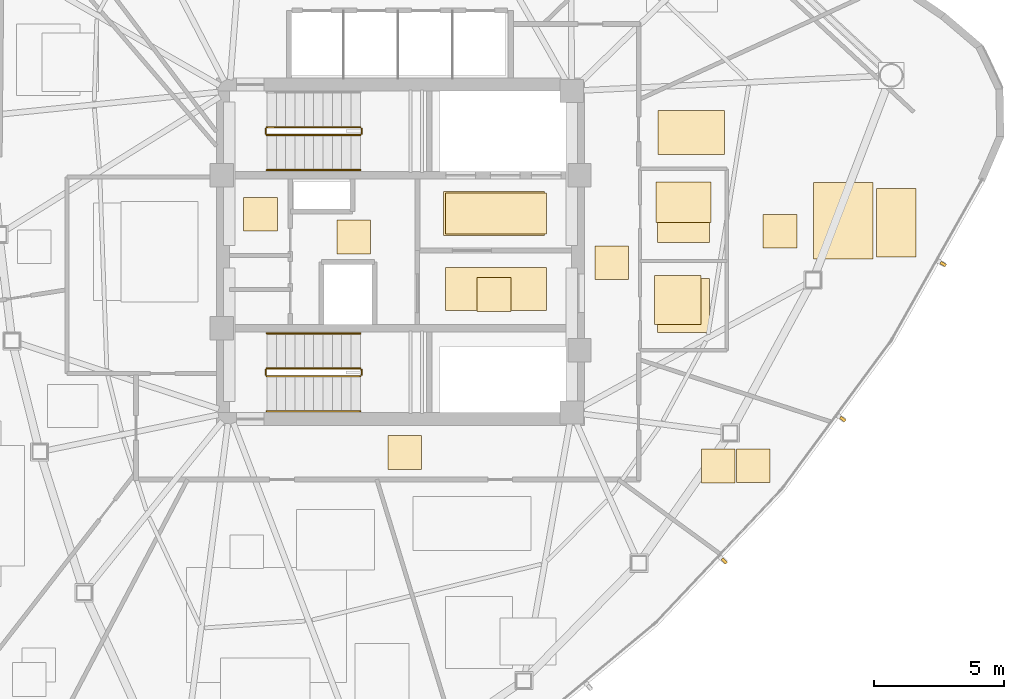
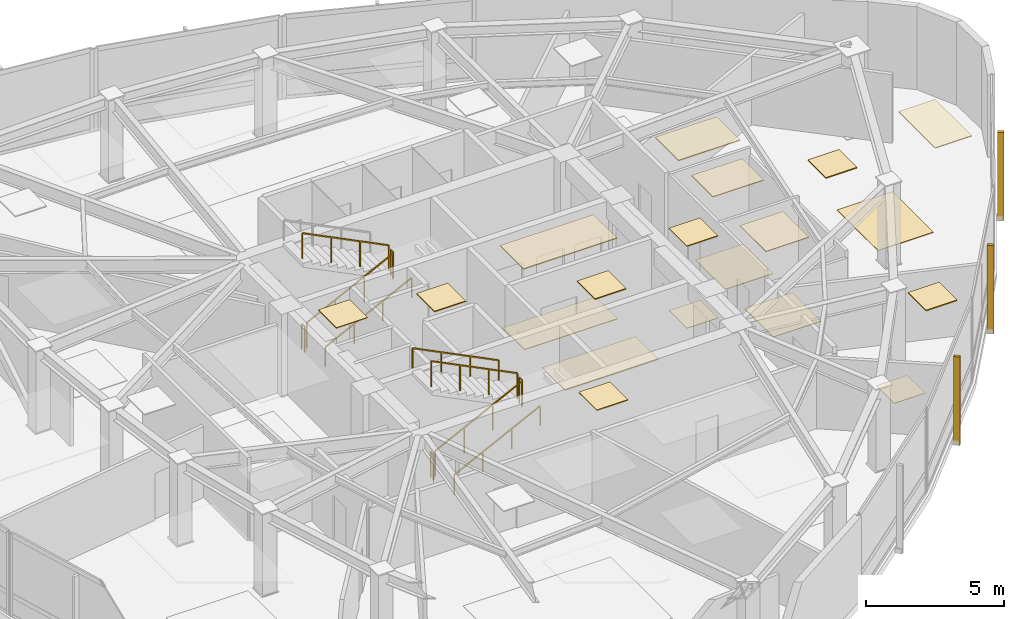
# One storey, part 14 of 15: 19 coverings, 11 railings, 3 shading devices.
"""IFC4 building model written with IfcOpenShell, lengths in metres."""

from ifc_helpers import new_model, si_unit, direction, frame, origin, origin_2d, place, context, subcontext, project, spatial, polyline, rectangle, outline, extrude, source, transform, mapped, material, layer, layer_set, type_object, type_shapes, element, save


model = new_model("IFC4")

# Units and contexts
model_context = context("Model", 3, precision=1e-05, world=origin(), true_north=direction((0.0, 1.0)))
body_context = subcontext(model_context, "Body", "Model", "MODEL_VIEW")
ifc_project = project(units=[si_unit("LENGTHUNIT", "METRE"), si_unit("AREAUNIT", "SQUARE_METRE"), si_unit("VOLUMEUNIT", "CUBIC_METRE"), si_unit("PLANEANGLEUNIT", "RADIAN"), si_unit("MASSUNIT", "GRAM", prefix="KILO")], contexts=[model_context])

# Site, building, storey
site_placement = place(None, origin())
site = spatial("IfcSite", under=ifc_project, at=site_placement, CompositionType="ELEMENT")
building_placement = place(site_placement, origin())
building = spatial("IfcBuilding", under=site, at=building_placement, Name="Tavelor Broadcast Tower", CompositionType="ELEMENT")
storey_placement = place(building_placement, frame((0.0, 0.0, 222.14990234375)))
storey = spatial("IfcBuildingStorey", under=building, at=storey_placement, Name="L52", CompositionType="ELEMENT", Elevation=222.14990234375)

# Coverings
ifc_material_1 = material(Name="Copper-Bronze Anodized Aluminium", Category="aluminium")
ifc_layer_1 = layer(ifc_material_1, 0.044921875)
ifc_layer_set_1 = layer_set([ifc_layer_1], Name="Copper-Bronze Anodized Aluminium")
covering_type_1 = type_object("IfcCoveringType", Name="Anodised Bronze Linear Slatted Concourse Ceiling 45 mm", PredefinedType="CEILING", material=ifc_layer_set_1)
covering_1_placement = place(storey_placement, frame((0.0, 0.0, 3.60498046875)))
element("IfcCovering", 1, at=covering_1_placement, inside=storey, type_object=covering_type_1, Name="L52 Suspended Acoustic Ceiling 2063", PredefinedType="CEILING", context=body_context, shape_type="SweptSolid", body=[
    extrude(outline(polyline([(51.659912109375, 45.6318359375), (55.55712890625, 45.6318359375), (55.55712890625, 47.328125), (51.659912109375, 47.328125), (51.659912109375, 45.6318359375)])), origin(), (0.0, 0.0, 1.0), 0.045166015625),
])
covering_2_placement = place(storey_placement, frame((0.0, 0.0, 3.60498046875)))
element("IfcCovering", 2, at=covering_2_placement, inside=storey, type_object=covering_type_1, Name="L52 Suspended Acoustic Ceiling 2064", PredefinedType="CEILING", context=body_context, shape_type="SweptSolid", body=[
    extrude(outline(polyline([(52.95361328125, 42.705078125), (54.25341796875, 42.705078125), (54.25341796875, 44.0048828125), (52.95361328125, 44.0048828125), (52.95361328125, 42.705078125)])), origin(), (0.0, 0.0, 1.0), 0.045166015625),
])

# Railings
ifc_material_2 = material(Name="Steel S355", Category="steel")
railing_type_1 = type_object("IfcRailingType", Name="Continuous Brushed Stainless Handrail 900 mm", PredefinedType="HANDRAIL", material=ifc_material_2)
for number, where, name in (
    (3, (44.85009765625, 48.14990234375, 0.1796875), "L52 ST1 stair handrail 1"),
    (4, (44.85009765625, 38.85009765625, 0.1796875), "L52 ST2 stair handrail 1"),
):
    element("IfcRailing", number, at=place(storey_placement, frame(where)), inside=storey, type_object=railing_type_1, Name=name, PredefinedType="HANDRAIL", context=body_context, shape_type="SweptSolid", body=[
        extrude(rectangle(XDim=0.048095703125, YDim=0.048095703125, at=origin_2d()), frame((0.0, 0.0, 0.8759765625), z_axis=(0.894875846893, 0.0, 0.446315156192), x_axis=(0.0, 1.0, 0.0)), (0.0, 0.0, 1.0), 4.022705078125),
        extrude(rectangle(XDim=0.0419921875, YDim=0.0419921875, at=origin_2d()), origin(), (0.0, 0.0, 1.0), 0.851806640625),
        extrude(rectangle(XDim=0.0419921875, YDim=0.0419921875, at=origin_2d()), frame((1.199951171875, 0.0, 0.598388671875)), (0.0, 0.0, 1.0), 0.851806640625),
        extrude(rectangle(XDim=0.0419921875, YDim=0.0419921875, at=origin_2d()), frame((2.39990234375, 0.0, 1.197021484375)), (0.0, 0.0, 1.0), 0.851806640625),
        extrude(rectangle(XDim=0.0419921875, YDim=0.0419921875, at=origin_2d()), frame((3.599853515625, 0.0, 1.79541015625)), (0.0, 0.0, 1.0), 0.851806640625),
    ])
railing_1_placement = place(storey_placement, frame((48.449951171875, 41.85009765625, 2.154541015625)))
element("IfcRailing", 5, at=railing_1_placement, inside=storey, type_object=railing_type_1, Name="L52 ST2 stair handrail 2", PredefinedType="HANDRAIL", context=body_context, shape_type="SweptSolid", body=[
    extrude(rectangle(XDim=0.048095703125, YDim=0.048095703125, at=origin_2d()), frame((0.0, 0.0, 0.8759765625), z_axis=(-0.894851606799, 0.0, 0.446363755036), x_axis=(0.0, -1.0, 0.0)), (0.0, 0.0, 1.0), 4.02294921875),
    extrude(rectangle(XDim=0.0419921875, YDim=0.0419921875, at=origin_2d()), origin(), (0.0, 0.0, 1.0), 0.851806640625),
    extrude(rectangle(XDim=0.0419921875, YDim=0.0419921875, at=origin_2d()), frame((-1.199951171875, 0.0, 0.5986328125)), (0.0, 0.0, 1.0), 0.851806640625),
    extrude(rectangle(XDim=0.0419921875, YDim=0.0419921875, at=origin_2d()), frame((-2.39990234375, 0.0, 1.197021484375)), (0.0, 0.0, 1.0), 0.851806640625),
    extrude(rectangle(XDim=0.0419921875, YDim=0.0419921875, at=origin_2d()), frame((-3.599853515625, 0.0, 1.795654296875)), (0.0, 0.0, 1.0), 0.851806640625),
])

# Coverings
ifc_material_3 = material(Name="Architectural Anodized Aluminium", Category="aluminium")
ifc_layer_2 = layer(ifc_material_3, 0.034912109375)
ifc_layer_set_2 = layer_set([ifc_layer_2], Name="Architectural Anodized Aluminium")
covering_type_2 = type_object("IfcCoveringType", Name="Demountable Metal Tile Corridor Ceiling 35 mm", PredefinedType="CEILING", material=ifc_layer_set_2)
covering_3_placement = place(storey_placement, frame((0.0, 0.0, 3.614990234375)))
element("IfcCovering", 6, at=covering_3_placement, inside=storey, type_object=covering_type_2, Name="L52 Suspended Acoustic Ceiling 2067", PredefinedType="CEILING", context=body_context, shape_type="SweptSolid", body=[
    extrude(outline(polyline([(57.489990234375, 43.925048828125), (58.7900390625, 43.925048828125), (58.7900390625, 45.22509765625), (57.489990234375, 45.22509765625), (57.489990234375, 43.925048828125)])), origin(), (0.0, 0.0, 1.0), 0.03515625),
])
covering_4_placement = place(storey_placement, frame((0.0, 0.0, 3.614990234375)))
element("IfcCovering", 7, at=covering_4_placement, inside=storey, type_object=covering_type_2, Name="L52 Suspended Acoustic Ceiling 2068", PredefinedType="CEILING", context=body_context, shape_type="SweptSolid", body=[
    extrude(outline(polyline([(49.510498046875, 36.610107421875), (50.810302734375, 36.610107421875), (50.810302734375, 37.909912109375), (49.510498046875, 37.909912109375), (49.510498046875, 36.610107421875)])), origin(), (0.0, 0.0, 1.0), 0.03515625),
])
ifc_material_4 = material(Name="Acoustic Nylon Carpet Tile")
ifc_layer_3 = layer(ifc_material_4, 0.02001953125)
ifc_layer_set_3 = layer_set([ifc_layer_3], Name="Acoustic Nylon Carpet Tile")
covering_type_3 = type_object("IfcCoveringType", Name="Heavy-Duty Acoustic Broadcast Carpet Tile 20 mm", PredefinedType="FLOORING", material=ifc_layer_set_3)
covering_5_placement = place(storey_placement, origin())
element("IfcCovering", 8, at=covering_5_placement, inside=storey, type_object=covering_type_3, Name="L52 Broadcast Floor Finish 0755", PredefinedType="FLOORING", context=body_context, shape_type="SweptSolid", body=[
    extrude(outline(polyline([(57.489990234375, 43.925048828125), (58.7900390625, 43.925048828125), (58.7900390625, 45.22509765625), (57.489990234375, 45.22509765625), (57.489990234375, 43.925048828125)])), origin(), (0.0, 0.0, 1.0), 0.02001953125),
])
covering_6_placement = place(storey_placement, origin())
element("IfcCovering", 9, at=covering_6_placement, inside=storey, type_object=covering_type_3, Name="L52 Broadcast Floor Finish 0760", PredefinedType="FLOORING", context=body_context, shape_type="SweptSolid", body=[
    extrude(outline(polyline([(65.91650390625, 44.714111328125), (68.226318359375, 44.714111328125), (68.226318359375, 47.670654296875), (65.91650390625, 47.670654296875), (65.91650390625, 44.714111328125)])), origin(), (0.0, 0.0, 1.0), 0.02001953125),
])
covering_7_placement = place(storey_placement, origin())
element("IfcCovering", 10, at=covering_7_placement, inside=storey, type_object=covering_type_3, Name="L52 Broadcast Floor Finish 0761", PredefinedType="FLOORING", context=body_context, shape_type="SweptSolid", body=[
    extrude(outline(polyline([(61.601806640625, 36.085693359375), (62.90185546875, 36.085693359375), (62.90185546875, 37.385498046875), (61.601806640625, 37.385498046875), (61.601806640625, 36.085693359375)])), origin(), (0.0, 0.0, 1.0), 0.02001953125),
])
ifc_material_5 = material(Name="Honed Natural Limestone Tile", Category="masonry")
ifc_layer_4 = layer(ifc_material_5, 0.030029296875)
ifc_layer_set_4 = layer_set([ifc_layer_4], Name="Honed Natural Limestone Tile")
covering_type_4 = type_object("IfcCoveringType", Name="Honed Jerusalem Limestone Concourse Flooring 30 mm", PredefinedType="FLOORING", material=ifc_layer_set_4)
covering_8_placement = place(storey_placement, origin())
element("IfcCovering", 11, at=covering_8_placement, inside=storey, type_object=covering_type_4, Name="L52 Broadcast Floor Finish 0753", PredefinedType="FLOORING", context=body_context, shape_type="SweptSolid", body=[
    extrude(outline(polyline([(51.7373046875, 45.689453125), (55.62255859375, 45.689453125), (55.62255859375, 47.2705078125), (51.7373046875, 47.2705078125), (51.7373046875, 45.689453125)])), origin(), (0.0, 0.0, 1.0), 0.030029296875),
])
covering_9_placement = place(storey_placement, origin())
element("IfcCovering", 12, at=covering_9_placement, inside=storey, type_object=covering_type_4, Name="L52 Broadcast Floor Finish 0754", PredefinedType="FLOORING", context=body_context, shape_type="SweptSolid", body=[
    extrude(outline(polyline([(51.728759765625, 42.743408203125), (55.62109375, 42.743408203125), (55.62109375, 44.396484375), (51.728759765625, 44.396484375), (51.728759765625, 42.743408203125)])), origin(), (0.0, 0.0, 1.0), 0.030029296875),
])
ifc_layer_5 = layer(ifc_material_3, 0.030029296875)
ifc_layer_set_5 = layer_set([ifc_layer_5], Name="Architectural Anodized Aluminium")
covering_type_5 = type_object("IfcCoveringType", Name="Moisture-Resistant Washroom Ceiling 30 mm", PredefinedType="CEILING", material=ifc_layer_set_5)
covering_10_placement = place(storey_placement, frame((0.0, 0.0, 3.6201171875)))
element("IfcCovering", 13, at=covering_10_placement, inside=storey, type_object=covering_type_5, Name="L52 Suspended Acoustic Ceiling 2066", PredefinedType="CEILING", context=body_context, shape_type="SweptSolid", body=[
    extrude(outline(polyline([(43.951416015625, 45.794921875), (45.25146484375, 45.794921875), (45.25146484375, 47.094970703125), (43.951416015625, 47.094970703125), (43.951416015625, 45.794921875)])), origin(), (0.0, 0.0, 1.0), 0.030029296875),
])
covering_11_placement = place(storey_placement, frame((0.0, 0.0, 3.6201171875)))
element("IfcCovering", 14, at=covering_11_placement, inside=storey, type_object=covering_type_5, Name="L52 Suspended Acoustic Ceiling 2070", PredefinedType="CEILING", context=body_context, shape_type="SweptSolid", body=[
    extrude(outline(polyline([(59.79150390625, 42.2001953125), (61.589599609375, 42.2001953125), (61.589599609375, 44.08203125), (59.79150390625, 44.08203125), (59.79150390625, 42.2001953125)])), origin(), (0.0, 0.0, 1.0), 0.030029296875),
])
covering_12_placement = place(storey_placement, frame((0.0, 0.0, 3.6201171875)))
element("IfcCovering", 15, at=covering_12_placement, inside=storey, type_object=covering_type_5, Name="L52 Suspended Acoustic Ceiling 2071", PredefinedType="CEILING", context=body_context, shape_type="SweptSolid", body=[
    extrude(outline(polyline([(59.85302734375, 46.13623046875), (61.967041015625, 46.13623046875), (61.967041015625, 47.69482421875), (59.85302734375, 47.69482421875), (59.85302734375, 46.13623046875)])), origin(), (0.0, 0.0, 1.0), 0.030029296875),
])
ifc_material_6 = material(Name="Slip-Resistant Porcelain Tile")
ifc_layer_6 = layer(ifc_material_6, 0.02490234375)
ifc_layer_set_6 = layer_set([ifc_layer_6], Name="Slip-Resistant Porcelain Tile")
covering_type_6 = type_object("IfcCoveringType", Name="Slip-Resistant Porcelain Wet-Area Floor Tile 25 mm", PredefinedType="FLOORING", material=ifc_layer_set_6)
covering_13_placement = place(storey_placement, origin())
element("IfcCovering", 16, at=covering_13_placement, inside=storey, type_object=covering_type_6, Name="L52 Broadcast Floor Finish 0757", PredefinedType="FLOORING", context=body_context, shape_type="SweptSolid", body=[
    extrude(outline(polyline([(59.91064453125, 41.885986328125), (61.909423828125, 41.885986328125), (61.909423828125, 43.964111328125), (59.91064453125, 43.964111328125), (59.91064453125, 41.885986328125)])), origin(), (0.0, 0.0, 1.0), 0.025146484375),
])
covering_14_placement = place(storey_placement, origin())
element("IfcCovering", 17, at=covering_14_placement, inside=storey, type_object=covering_type_6, Name="L52 Broadcast Floor Finish 0758", PredefinedType="FLOORING", context=body_context, shape_type="SweptSolid", body=[
    extrude(outline(polyline([(59.91064453125, 45.35009765625), (61.909423828125, 45.35009765625), (61.909423828125, 47.5), (59.91064453125, 47.5), (59.91064453125, 45.35009765625)])), origin(), (0.0, 0.0, 1.0), 0.025146484375),
])

# Railings
railing_type_2 = type_object("IfcRailingType", Name="Stairwell Steel Safety Guardrail 1150 mm", PredefinedType="GUARDRAIL", material=ifc_material_2)
railing_2_placement = place(storey_placement, frame((44.85009765625, 49.5, 0.1796875)))
element("IfcRailing", 18, at=railing_2_placement, inside=storey, type_object=railing_type_2, Name="L52 ST1 stair guard 1", PredefinedType="GUARDRAIL", context=body_context, shape_type="SweptSolid", body=[
    extrude(rectangle(XDim=0.048095703125, YDim=0.048095703125, at=origin_2d()), frame((0.0, 0.0, 1.1259765625), z_axis=(0.894875846893, 0.0, 0.446315156192), x_axis=(0.0, 1.0, 0.0)), (0.0, 0.0, 1.0), 4.022705078125),
    extrude(rectangle(XDim=0.0419921875, YDim=0.0419921875, at=origin_2d()), origin(), (0.0, 0.0, 1.0), 1.101806640625),
    extrude(rectangle(XDim=0.0419921875, YDim=0.0419921875, at=origin_2d()), frame((1.199951171875, 0.0, 0.598388671875)), (0.0, 0.0, 1.0), 1.101806640625),
    extrude(rectangle(XDim=0.0419921875, YDim=0.0419921875, at=origin_2d()), frame((2.39990234375, 0.0, 1.197021484375)), (0.0, 0.0, 1.0), 1.101806640625),
    extrude(rectangle(XDim=0.0419921875, YDim=0.0419921875, at=origin_2d()), frame((3.599853515625, 0.0, 1.79541015625)), (0.0, 0.0, 1.0), 1.101806640625),
])
railing_3_placement = place(storey_placement, frame((48.5, 49.550048828125, 1.97509765625)))
element("IfcRailing", 19, at=railing_3_placement, inside=storey, type_object=railing_type_2, Name="L52 ST1 stair guard 2", PredefinedType="GUARDRAIL", context=body_context, shape_type="SweptSolid", body=[
    extrude(rectangle(XDim=0.048095703125, YDim=0.048095703125, at=origin_2d()), frame((0.0, 0.0, 1.1259765625), z_axis=(0.0, 1.0, 0.0), x_axis=(-1.0, 0.0, 0.0)), (0.0, 0.0, 1.0), 0.199951171875),
    extrude(rectangle(XDim=0.0419921875, YDim=0.0419921875, at=origin_2d()), origin(), (0.0, 0.0, 1.0), 1.101806640625),
    extrude(rectangle(XDim=0.0419921875, YDim=0.0419921875, at=origin_2d()), frame((0.0, 0.199951171875, 0.0)), (0.0, 0.0, 1.0), 1.101806640625),
])
railing_4_placement = place(storey_placement, frame((48.449951171875, 49.800048828125, 2.154541015625)))
element("IfcRailing", 20, at=railing_4_placement, inside=storey, type_object=railing_type_2, Name="L52 ST1 stair guard 3", PredefinedType="GUARDRAIL", context=body_context, shape_type="SweptSolid", body=[
    extrude(rectangle(XDim=0.048095703125, YDim=0.048095703125, at=origin_2d()), frame((0.0, 0.0, 1.1259765625), z_axis=(-0.894851606799, 0.0, 0.446363755036), x_axis=(0.0, -1.0, 0.0)), (0.0, 0.0, 1.0), 4.02294921875),
    extrude(rectangle(XDim=0.0419921875, YDim=0.0419921875, at=origin_2d()), origin(), (0.0, 0.0, 1.0), 1.101806640625),
    extrude(rectangle(XDim=0.0419921875, YDim=0.0419921875, at=origin_2d()), frame((-1.199951171875, 0.0, 0.5986328125)), (0.0, 0.0, 1.0), 1.101806640625),
    extrude(rectangle(XDim=0.0419921875, YDim=0.0419921875, at=origin_2d()), frame((-2.39990234375, 0.0, 1.197021484375)), (0.0, 0.0, 1.0), 1.101806640625),
    extrude(rectangle(XDim=0.0419921875, YDim=0.0419921875, at=origin_2d()), frame((-3.599853515625, 0.0, 1.795654296875)), (0.0, 0.0, 1.0), 1.101806640625),
])
railing_5_placement = place(storey_placement, frame((44.800048828125, 49.550048828125, 0.0)))
element("IfcRailing", 21, at=railing_5_placement, inside=storey, type_object=railing_type_2, Name="L52 ST1 stair guard 4", PredefinedType="GUARDRAIL", context=body_context, shape_type="SweptSolid", body=[
    extrude(rectangle(XDim=0.048095703125, YDim=0.048095703125, at=origin_2d()), frame((0.0, 0.0, 1.1259765625), z_axis=(0.0, 1.0, 0.0), x_axis=(-1.0, 0.0, 0.0)), (0.0, 0.0, 1.0), 0.199951171875),
    extrude(rectangle(XDim=0.0419921875, YDim=0.0419921875, at=origin_2d()), origin(), (0.0, 0.0, 1.0), 1.101806640625),
    extrude(rectangle(XDim=0.0419921875, YDim=0.0419921875, at=origin_2d()), frame((0.0, 0.199951171875, 0.0)), (0.0, 0.0, 1.0), 1.101806640625),
])
railing_6_placement = place(storey_placement, frame((44.85009765625, 40.199951171875, 0.1796875)))
element("IfcRailing", 22, at=railing_6_placement, inside=storey, type_object=railing_type_2, Name="L52 ST2 stair guard 1", PredefinedType="GUARDRAIL", context=body_context, shape_type="SweptSolid", body=[
    extrude(rectangle(XDim=0.048095703125, YDim=0.048095703125, at=origin_2d()), frame((0.0, 0.0, 1.1259765625), z_axis=(0.894875846893, 0.0, 0.446315156192), x_axis=(0.0, 1.0, 0.0)), (0.0, 0.0, 1.0), 4.022705078125),
    extrude(rectangle(XDim=0.0419921875, YDim=0.0419921875, at=origin_2d()), origin(), (0.0, 0.0, 1.0), 1.101806640625),
    extrude(rectangle(XDim=0.0419921875, YDim=0.0419921875, at=origin_2d()), frame((1.199951171875, 0.0, 0.598388671875)), (0.0, 0.0, 1.0), 1.101806640625),
    extrude(rectangle(XDim=0.0419921875, YDim=0.0419921875, at=origin_2d()), frame((2.39990234375, 0.0, 1.197021484375)), (0.0, 0.0, 1.0), 1.101806640625),
    extrude(rectangle(XDim=0.0419921875, YDim=0.0419921875, at=origin_2d()), frame((3.599853515625, 0.0, 1.79541015625)), (0.0, 0.0, 1.0), 1.101806640625),
])
railing_7_placement = place(storey_placement, frame((48.5, 40.25, 1.97509765625)))
element("IfcRailing", 23, at=railing_7_placement, inside=storey, type_object=railing_type_2, Name="L52 ST2 stair guard 2", PredefinedType="GUARDRAIL", context=body_context, shape_type="SweptSolid", body=[
    extrude(rectangle(XDim=0.048095703125, YDim=0.048095703125, at=origin_2d()), frame((0.0, 0.0, 1.1259765625), z_axis=(0.0, 1.0, 0.0), x_axis=(-1.0, 0.0, 0.0)), (0.0, 0.0, 1.0), 0.199951171875),
    extrude(rectangle(XDim=0.0419921875, YDim=0.0419921875, at=origin_2d()), origin(), (0.0, 0.0, 1.0), 1.101806640625),
    extrude(rectangle(XDim=0.0419921875, YDim=0.0419921875, at=origin_2d()), frame((0.0, 0.199951171875, 0.0)), (0.0, 0.0, 1.0), 1.101806640625),
])
railing_8_placement = place(storey_placement, frame((48.449951171875, 40.5, 2.154541015625)))
element("IfcRailing", 24, at=railing_8_placement, inside=storey, type_object=railing_type_2, Name="L52 ST2 stair guard 3", PredefinedType="GUARDRAIL", context=body_context, shape_type="SweptSolid", body=[
    extrude(rectangle(XDim=0.048095703125, YDim=0.048095703125, at=origin_2d()), frame((0.0, 0.0, 1.1259765625), z_axis=(-0.894851606799, 0.0, 0.446363755036), x_axis=(0.0, -1.0, 0.0)), (0.0, 0.0, 1.0), 4.02294921875),
    extrude(rectangle(XDim=0.0419921875, YDim=0.0419921875, at=origin_2d()), origin(), (0.0, 0.0, 1.0), 1.101806640625),
    extrude(rectangle(XDim=0.0419921875, YDim=0.0419921875, at=origin_2d()), frame((-1.199951171875, 0.0, 0.5986328125)), (0.0, 0.0, 1.0), 1.101806640625),
    extrude(rectangle(XDim=0.0419921875, YDim=0.0419921875, at=origin_2d()), frame((-2.39990234375, 0.0, 1.197021484375)), (0.0, 0.0, 1.0), 1.101806640625),
    extrude(rectangle(XDim=0.0419921875, YDim=0.0419921875, at=origin_2d()), frame((-3.599853515625, 0.0, 1.795654296875)), (0.0, 0.0, 1.0), 1.101806640625),
])
railing_9_placement = place(storey_placement, frame((44.800048828125, 40.25, 0.0)))
element("IfcRailing", 25, at=railing_9_placement, inside=storey, type_object=railing_type_2, Name="L52 ST2 stair guard 4", PredefinedType="GUARDRAIL", context=body_context, shape_type="SweptSolid", body=[
    extrude(rectangle(XDim=0.048095703125, YDim=0.048095703125, at=origin_2d()), frame((0.0, 0.0, 1.1259765625), z_axis=(0.0, 1.0, 0.0), x_axis=(-1.0, 0.0, 0.0)), (0.0, 0.0, 1.0), 0.199951171875),
    extrude(rectangle(XDim=0.0419921875, YDim=0.0419921875, at=origin_2d()), origin(), (0.0, 0.0, 1.0), 1.101806640625),
    extrude(rectangle(XDim=0.0419921875, YDim=0.0419921875, at=origin_2d()), frame((0.0, 0.199951171875, 0.0)), (0.0, 0.0, 1.0), 1.101806640625),
])

# Coverings
ifc_material_7 = material(Name="Acoustic Mineral Fibre Tile")
ifc_layer_7 = layer(ifc_material_7, 0.0400390625)
ifc_layer_set_7 = layer_set([ifc_layer_7], Name="Acoustic Mineral Fibre Tile")
covering_type_7 = type_object("IfcCoveringType", Name="Suspended Acoustic Mineral-Fibre Office Ceiling 40 mm", PredefinedType="CEILING", material=ifc_layer_set_7)
covering_15_placement = place(storey_placement, frame((0.0, 0.0, 3.610107421875)))
element("IfcCovering", 26, at=covering_15_placement, inside=storey, type_object=covering_type_7, Name="L52 Suspended Acoustic Ceiling 2065", PredefinedType="CEILING", context=body_context, shape_type="SweptSolid", body=[
    extrude(outline(polyline([(47.544921875, 44.919921875), (48.844970703125, 44.919921875), (48.844970703125, 46.219970703125), (47.544921875, 46.219970703125), (47.544921875, 44.919921875)])), origin(), (0.0, 0.0, 1.0), 0.0400390625),
])
covering_16_placement = place(storey_placement, frame((0.0, 0.0, 3.610107421875)))
element("IfcCovering", 27, at=covering_16_placement, inside=storey, type_object=covering_type_7, Name="L52 Suspended Acoustic Ceiling 2073", PredefinedType="CEILING", context=body_context, shape_type="SweptSolid", body=[
    extrude(outline(polyline([(63.985107421875, 45.1396484375), (65.284912109375, 45.1396484375), (65.284912109375, 46.439697265625), (63.985107421875, 46.439697265625), (63.985107421875, 45.1396484375)])), origin(), (0.0, 0.0, 1.0), 0.0400390625),
])
covering_17_placement = place(storey_placement, frame((0.0, 0.0, 3.610107421875)))
element("IfcCovering", 28, at=covering_17_placement, inside=storey, type_object=covering_type_7, Name="L52 Suspended Acoustic Ceiling 2074", PredefinedType="CEILING", context=body_context, shape_type="SweptSolid", body=[
    extrude(outline(polyline([(59.92578125, 48.748291015625), (62.49169921875, 48.748291015625), (62.49169921875, 50.4384765625), (59.92578125, 50.4384765625), (59.92578125, 48.748291015625)])), origin(), (0.0, 0.0, 1.0), 0.0400390625),
])
covering_18_placement = place(storey_placement, frame((0.0, 0.0, 3.610107421875)))
element("IfcCovering", 29, at=covering_18_placement, inside=storey, type_object=covering_type_7, Name="L52 Suspended Acoustic Ceiling 2075", PredefinedType="CEILING", context=body_context, shape_type="SweptSolid", body=[
    extrude(outline(polyline([(68.34619140625, 44.794189453125), (69.872802734375, 44.794189453125), (69.872802734375, 47.443115234375), (68.34619140625, 47.443115234375), (68.34619140625, 44.794189453125)])), origin(), (0.0, 0.0, 1.0), 0.0400390625),
])
covering_19_placement = place(storey_placement, frame((0.0, 0.0, 3.610107421875)))
element("IfcCovering", 30, at=covering_19_placement, inside=storey, type_object=covering_type_7, Name="L52 Suspended Acoustic Ceiling 2076", PredefinedType="CEILING", context=body_context, shape_type="SweptSolid", body=[
    extrude(outline(polyline([(62.946044921875, 36.10009765625), (64.24609375, 36.10009765625), (64.24609375, 37.39990234375), (62.946044921875, 37.39990234375), (62.946044921875, 36.10009765625)])), origin(), (0.0, 0.0, 1.0), 0.0400390625),
])

# Shading devices
ifc_material_8 = material(Name="Kiln-Fired Glazed Terracotta", Category="masonry")
shading_device_type = type_object("IfcShadingDeviceType", Name="Extruded Terracotta Baguette Sun-Screen 110x240", PredefinedType="JALOUSIE", material=ifc_material_8)
shared_shape = source(origin(), body_context, "Body", "SweptSolid", [
    extrude(rectangle(XDim=0.110107421875, YDim=0.239990234375, at=origin_2d()), origin(), (0.0, 0.0, 1.0), 3.889892578125),
])
type_shapes(shading_device_type, [shared_shape])
for number, where, z_axis, x_axis, name in (
    (31, (62.486328125, 33.07421875, -0.259765625), (0.0, 0.0, 1.0), (0.686072351756, 0.727533317557, 0.0), "L52 Terracotta Baguette Fin 534"),
    (32, (67.052001953125, 38.54443359375, -0.259765625), (0.0, 0.0, 1.0), (0.592997363872, 0.805204400411, 0.0), "L52 Terracotta Baguette Fin 535"),
    (33, (70.922119140625, 44.52685546875, -0.259765625), (0.0, 0.0, 1.0), (0.491207834691, 0.87104240031, 0.0), "L52 Terracotta Baguette Fin 536"),
):
    element("IfcShadingDevice", number, at=place(storey_placement, frame(where, z_axis=z_axis, x_axis=x_axis)), inside=storey, type_object=shading_device_type, Name=name, PredefinedType="JALOUSIE", context=body_context, shape_type="MappedRepresentation", body=[
        mapped(shared_shape, transform((0.0, 0.0, 0.0), scale=1.0)),
    ])

save(model, "model.ifc")
